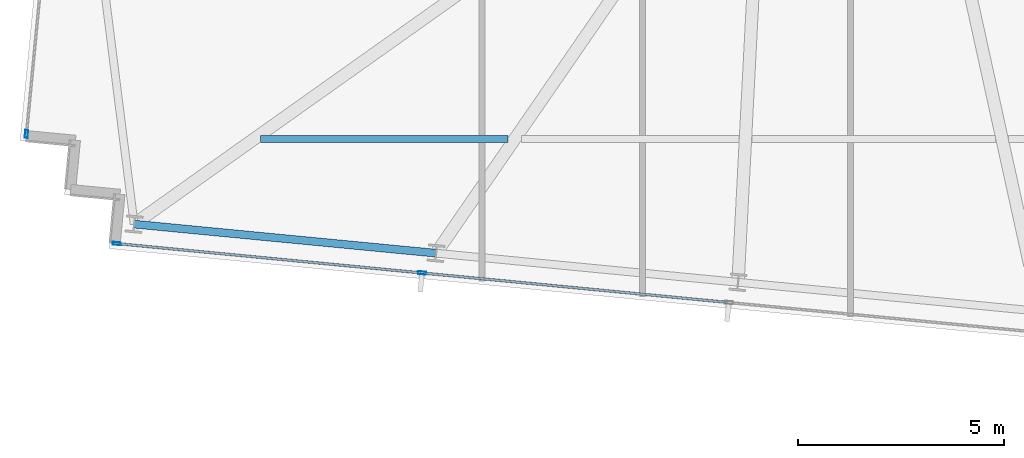
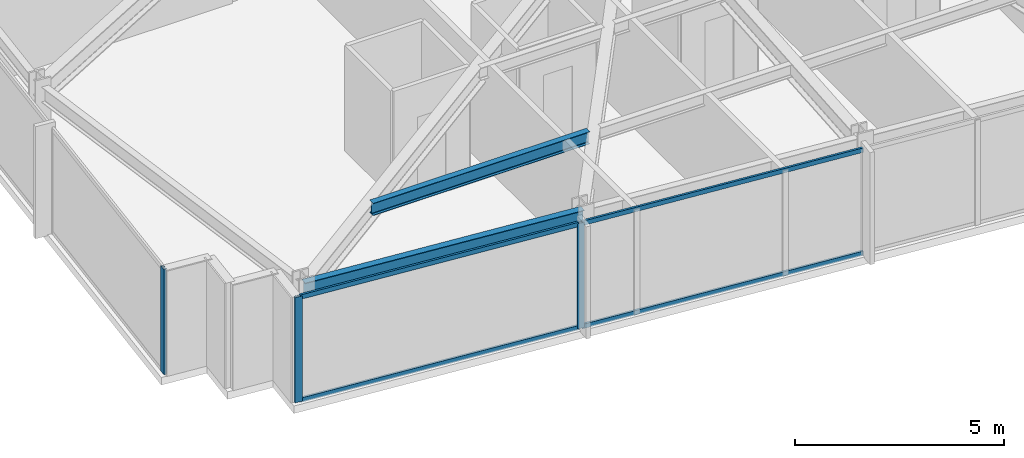
# One storey, part 2 of 38: 7 members, 2 beams, 2 elements without a shape of their own.
"""IFC4 building model written with IfcOpenShell, lengths in metres."""

from ifc_helpers import new_model, si_unit, direction, frame, origin, origin_2d, place, context, subcontext, project, spatial, hollow_rectangle, i_section, extrude, material, material_profile, profile_set, type_object, element, aggregate, save


model = new_model("IFC4")

# Units and contexts
model_context = context("Model", 3, precision=1e-05, world=origin(), true_north=direction((0.0, 1.0)))
body_context = subcontext(model_context, "Body", "Model", "MODEL_VIEW")
ifc_project = project(units=[si_unit("LENGTHUNIT", "METRE"), si_unit("AREAUNIT", "SQUARE_METRE"), si_unit("VOLUMEUNIT", "CUBIC_METRE"), si_unit("PLANEANGLEUNIT", "RADIAN"), si_unit("MASSUNIT", "GRAM", prefix="KILO")], contexts=[model_context])

# Site, building, storey
site_placement = place(None, origin())
site = spatial("IfcSite", under=ifc_project, at=site_placement, CompositionType="ELEMENT")
building_placement = place(site_placement, origin())
building = spatial("IfcBuilding", under=site, at=building_placement, Name="Yelkora Congress Tower", CompositionType="ELEMENT")
storey_placement = place(building_placement, frame((0.0, 0.0, 178.699951171875)))
storey = spatial("IfcBuildingStorey", under=building, at=storey_placement, Name="L49", CompositionType="ELEMENT", Elevation=178.699951171875)

# Beams
ifc_material_1 = material(Name="Steel S355J2", Category="steel")
ifc_material_profile_1 = material_profile(ifc_material_1, i_section(OverallWidth=0.169921875, OverallDepth=0.360107421875, WebThickness=0.008056640625, FlangeThickness=0.0126953125, FilletRadius=0.01806640625, at=origin_2d()), Name="IPE 360")
ifc_profile_set_1 = profile_set([ifc_material_profile_1], Name="Steel S355J2")
beam_type_1 = type_object("IfcBeamType", Name="BM-JOIST-IPE360", PredefinedType="JOIST", material=ifc_profile_set_1)
beam_1_placement = place(storey_placement, frame((6.98779296875, 16.421142578125, 2.900146484375), z_axis=(1.0, 0.0, 0.0), x_axis=(0.0, 1.0, 0.0)))
element("IfcBeam", 1, at=beam_1_placement, inside=storey, type_object=beam_type_1, Name="L49 Composite Floor Joist 5", PredefinedType="JOIST", context=body_context, shape_type="SweptSolid", body=[
    extrude(i_section(OverallWidth=0.169921875, OverallDepth=0.360107421875, WebThickness=0.008056640625, FlangeThickness=0.0126953125, FilletRadius=0.01806640625, at=origin_2d()), origin(), (0.0, 0.0, 1.0), 6.002685546875),
])
ifc_material_profile_2 = material_profile(ifc_material_1, i_section(OverallWidth=0.18994140625, OverallDepth=0.449951171875, WebThickness=0.009521484375, FlangeThickness=0.0146484375, FilletRadius=0.02099609375, at=origin_2d()), Name="IPE 450")
ifc_profile_set_2 = profile_set([ifc_material_profile_2], Name="Steel S355J2")
beam_type_2 = type_object("IfcBeamType", Name="BM-SPAN-IPE450", PredefinedType="SPANDREL", material=ifc_profile_set_2)
beam_2_placement = place(storey_placement, frame((3.919189453125, 14.357421875, 2.85498046875), z_axis=(0.995393938538, -0.095869218844, 0.0), x_axis=(0.095869218844, 0.995393938538, 0.0)))
element("IfcBeam", 2, at=beam_2_placement, inside=storey, type_object=beam_type_2, Name="L49 Perimeter Beam 2", PredefinedType="SPANDREL", context=body_context, shape_type="SweptSolid", body=[
    extrude(i_section(OverallWidth=0.18994140625, OverallDepth=0.449951171875, WebThickness=0.009521484375, FlangeThickness=0.0146484375, FilletRadius=0.02099609375, at=origin_2d()), origin(), (0.0, 0.0, 1.0), 7.357177734375),
])

# Curtain wall, member
ifc_material_2 = material(Name="Anodised aluminium and insulated glass", Category="aluminium")
curtain_wall_type = type_object("IfcCurtainWallType", Name="CW-SYS-B3", PredefinedType="NOTDEFINED", material=ifc_material_2)
curtain_wall_1_placement = place(storey_placement, origin())
curtain_wall_1 = element("IfcCurtainWall", 3, at=curtain_wall_1_placement, inside=storey, type_object=curtain_wall_type, Name="L49 Unitised Curtain Wall 5", PredefinedType="NOTDEFINED")
ifc_material_3 = material(Name="Anodised aluminium 6063-T6", Category="aluminium")
ifc_material_profile_3 = material_profile(ifc_material_3, hollow_rectangle(XDim=0.070068359375, YDim=0.18994140625, WallThickness=0.00390625, at=origin_2d()), Name="ALU 70x190x4")
ifc_profile_set_3 = profile_set([ifc_material_profile_3], Name="Anodised aluminium 6063-T6")
member_type_1 = type_object("IfcMemberType", Name="MEM-ML-B3", PredefinedType="MULLION", material=ifc_profile_set_3)
member_1_placement = place(storey_placement, frame((1.306640625, 16.542724609375, 0.0), z_axis=(0.0, 0.0, 1.0), x_axis=(-0.995396242473, 0.095845294465, 0.0)))
member_1 = element("IfcMember", 4, at=member_1_placement, type_object=member_type_1, Name="CW-B3 mullion 1", PredefinedType="MULLION", context=body_context, shape_type="SweptSolid", body=[
    extrude(hollow_rectangle(XDim=0.070068359375, YDim=0.18994140625, WallThickness=0.00390625, at=origin_2d()), origin(), (0.0, 0.0, 1.0), 3.080078125),
])
aggregate(curtain_wall_1, [member_1])

# Curtain wall, members
curtain_wall_2_placement = place(storey_placement, origin())
curtain_wall_2 = element("IfcCurtainWall", 5, at=curtain_wall_2_placement, inside=storey, type_object=curtain_wall_type, Name="L49 Unitised Curtain Wall 20", PredefinedType="NOTDEFINED")
member_2_placement = place(storey_placement, frame((10.902099609375, 13.172607421875, 0.0), z_axis=(0.0, 0.0, 1.0), x_axis=(-0.095844680679, -0.995396301573, 0.0)))
member_2 = element("IfcMember", 6, at=member_2_placement, type_object=member_type_1, Name="CW-B3 mullion 7", PredefinedType="MULLION", context=body_context, shape_type="SweptSolid", body=[
    extrude(hollow_rectangle(XDim=0.070068359375, YDim=0.18994140625, WallThickness=0.00390625, at=origin_2d()), origin(), (0.0, 0.0, 1.0), 3.080078125),
])
member_3_placement = place(storey_placement, frame((3.4970703125, 13.885498046875, 0.0), z_axis=(0.0, 0.0, 1.0), x_axis=(-0.095844680679, -0.995396301573, 0.0)))
member_3 = element("IfcMember", 7, at=member_3_placement, type_object=member_type_1, Name="CW-B3 mullion 8", PredefinedType="MULLION", context=body_context, shape_type="SweptSolid", body=[
    extrude(hollow_rectangle(XDim=0.070068359375, YDim=0.18994140625, WallThickness=0.00390625, at=origin_2d()), origin(), (0.0, 0.0, 1.0), 3.080078125),
])
ifc_material_profile_4 = material_profile(ifc_material_3, hollow_rectangle(XDim=0.06005859375, YDim=0.1298828125, WallThickness=0.00390625, at=origin_2d()), Name="ALU 60x130x4")
ifc_profile_set_4 = profile_set([ifc_material_profile_4], Name="Anodised aluminium 6063-T6")
member_type_2 = type_object("IfcMemberType", Name="MEM-TR-B3", PredefinedType="USERDEFINED", material=ifc_profile_set_4)
member_4_placement = place(storey_placement, frame((18.30712890625, 12.45947265625, 0.030029296875), z_axis=(-0.99539548672, 0.095853142967, 0.0), x_axis=(-0.095853142967, -0.99539548672, 0.0)))
member_4 = element("IfcMember", 8, at=member_4_placement, type_object=member_type_2, Name="CW-B3 transom 6.1", ObjectType="TRANSOM", PredefinedType="USERDEFINED", context=body_context, shape_type="SweptSolid", body=[
    extrude(hollow_rectangle(XDim=0.06005859375, YDim=0.1298828125, WallThickness=0.00390625, at=origin_2d()), origin(), (0.0, 0.0, 1.0), 7.404296875),
])
member_5_placement = place(storey_placement, frame((18.30712890625, 12.45947265625, 3.050048828125), z_axis=(-0.99539548672, 0.095853142967, 0.0), x_axis=(-0.095853142967, -0.99539548672, 0.0)))
member_5 = element("IfcMember", 9, at=member_5_placement, type_object=member_type_2, Name="CW-B3 transom 6.2", ObjectType="TRANSOM", PredefinedType="USERDEFINED", context=body_context, shape_type="SweptSolid", body=[
    extrude(hollow_rectangle(XDim=0.06005859375, YDim=0.1298828125, WallThickness=0.00390625, at=origin_2d()), origin(), (0.0, 0.0, 1.0), 7.404296875),
])
member_6_placement = place(storey_placement, frame((10.8671875, 13.17578125, 0.030029296875), z_axis=(-0.995396212442, 0.095845606344, 0.0), x_axis=(-0.095845606344, -0.995396212442, 0.0)))
member_6 = element("IfcMember", 10, at=member_6_placement, type_object=member_type_2, Name="CW-B3 transom 7.1", ObjectType="TRANSOM", PredefinedType="USERDEFINED", context=body_context, shape_type="SweptSolid", body=[
    extrude(hollow_rectangle(XDim=0.06005859375, YDim=0.1298828125, WallThickness=0.00390625, at=origin_2d()), origin(), (0.0, 0.0, 1.0), 7.369140625),
])
member_7_placement = place(storey_placement, frame((10.8671875, 13.17578125, 3.050048828125), z_axis=(-0.995396212442, 0.095845606344, 0.0), x_axis=(-0.095845606344, -0.995396212442, 0.0)))
member_7 = element("IfcMember", 11, at=member_7_placement, type_object=member_type_2, Name="CW-B3 transom 7.2", ObjectType="TRANSOM", PredefinedType="USERDEFINED", context=body_context, shape_type="SweptSolid", body=[
    extrude(hollow_rectangle(XDim=0.06005859375, YDim=0.1298828125, WallThickness=0.00390625, at=origin_2d()), origin(), (0.0, 0.0, 1.0), 7.369140625),
])
aggregate(curtain_wall_2, [member_2, member_3, member_4, member_5, member_6, member_7])

save(model, "model.ifc")
